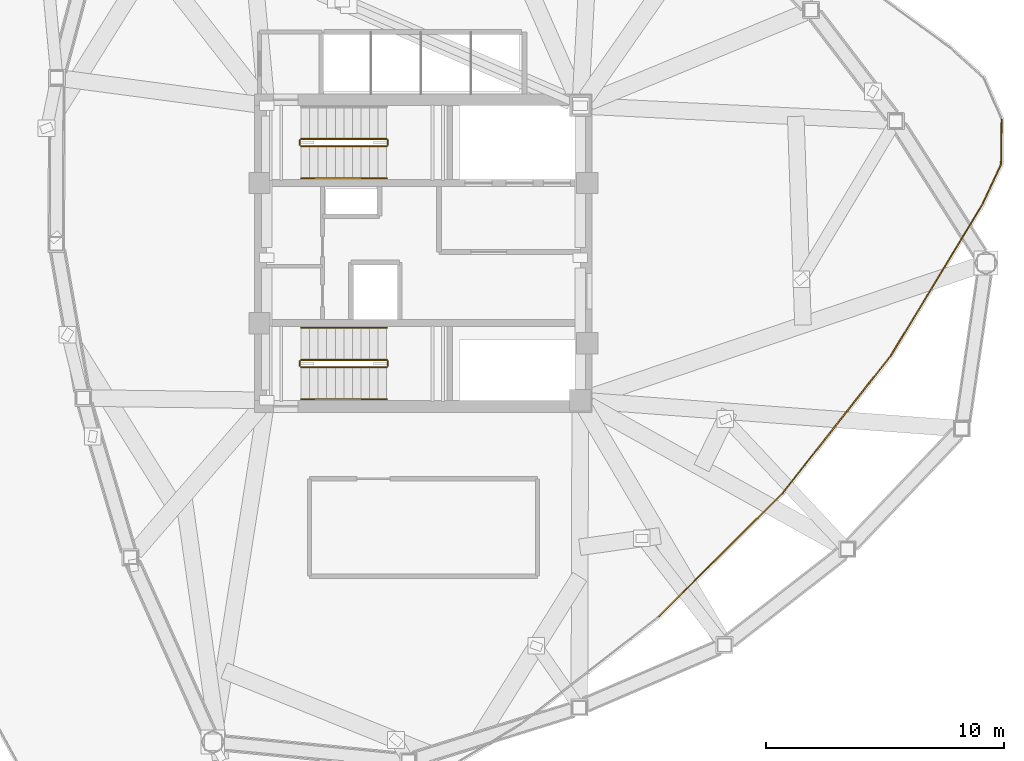
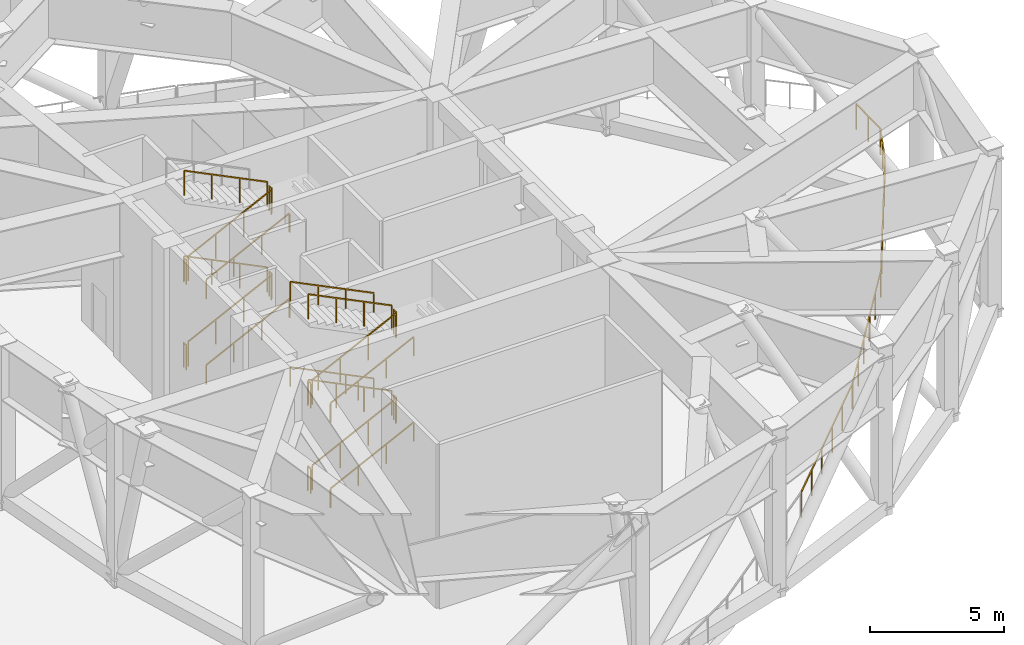
# One storey, part 7 of 8: 27 railings.
"""IFC4 building model written with IfcOpenShell, lengths in metres."""

from ifc_helpers import new_model, si_unit, direction, frame, origin, origin_2d, place, context, subcontext, project, spatial, rectangle, extrude, material, type_object, element, save


model = new_model("IFC4")

# Units and contexts
model_context = context("Model", 3, precision=1e-05, world=origin(), true_north=direction((0.0, 1.0)))
body_context = subcontext(model_context, "Body", "Model", "MODEL_VIEW")
ifc_project = project(units=[si_unit("LENGTHUNIT", "METRE"), si_unit("AREAUNIT", "SQUARE_METRE"), si_unit("VOLUMEUNIT", "CUBIC_METRE"), si_unit("PLANEANGLEUNIT", "RADIAN"), si_unit("MASSUNIT", "GRAM", prefix="KILO")], contexts=[model_context])

# Site, building, storey
site_placement = place(None, origin())
site = spatial("IfcSite", under=ifc_project, at=site_placement, CompositionType="ELEMENT")
building_placement = place(site_placement, origin())
building = spatial("IfcBuilding", under=site, at=building_placement, Name="Tavelor Broadcast Tower", CompositionType="ELEMENT")
storey_placement = place(building_placement, frame((0.0, 0.0, 209.14990234375)))
storey = spatial("IfcBuildingStorey", under=building, at=storey_placement, Name="L50", CompositionType="ELEMENT", Elevation=209.14990234375)

# Railings
ifc_material = material(Name="Steel S355", Category="steel")
railing_type_1 = type_object("IfcRailingType", Name="Continuous Brushed Stainless Handrail 900 mm", PredefinedType="HANDRAIL", material=ifc_material)
for number, where, name in (
    (1, (44.85009765625, 48.14990234375, 0.177490234375), "L50 ST1 stair handrail 1"),
    (2, (44.85009765625, 48.14990234375, 4.077392578125), "L50 ST1 stair handrail 3"),
    (3, (44.85009765625, 38.85009765625, 0.177490234375), "L50 ST2 stair handrail 1"),
):
    element("IfcRailing", number, at=place(storey_placement, frame(where)), inside=storey, type_object=railing_type_1, Name=name, PredefinedType="HANDRAIL", context=body_context, shape_type="SweptSolid", body=[
        extrude(rectangle(XDim=0.048095703125, YDim=0.048095703125, at=origin_2d()), frame((0.0, 0.0, 0.8759765625), z_axis=(0.897124305991, 0.0, 0.441778201817), x_axis=(0.0, 1.0, 0.0)), (0.0, 0.0, 1.0), 4.0126953125),
        extrude(rectangle(XDim=0.0419921875, YDim=0.0419921875, at=origin_2d()), origin(), (0.0, 0.0, 1.0), 0.851806640625),
        extrude(rectangle(XDim=0.0419921875, YDim=0.0419921875, at=origin_2d()), frame((1.199951171875, 0.0, 0.5908203125)), (0.0, 0.0, 1.0), 0.851806640625),
        extrude(rectangle(XDim=0.0419921875, YDim=0.0419921875, at=origin_2d()), frame((2.39990234375, 0.0, 1.181884765625)), (0.0, 0.0, 1.0), 0.851806640625),
        extrude(rectangle(XDim=0.0419921875, YDim=0.0419921875, at=origin_2d()), frame((3.599853515625, 0.0, 1.772705078125)), (0.0, 0.0, 1.0), 0.851806640625),
    ])
railing_1_placement = place(storey_placement, frame((48.449951171875, 41.85009765625, 2.12744140625)))
element("IfcRailing", 4, at=railing_1_placement, inside=storey, type_object=railing_type_1, Name="L50 ST2 stair handrail 2", PredefinedType="HANDRAIL", context=body_context, shape_type="SweptSolid", body=[
    extrude(rectangle(XDim=0.048095703125, YDim=0.048095703125, at=origin_2d()), frame((0.0, 0.0, 0.8759765625), z_axis=(-0.897124305991, 0.0, 0.441778201817), x_axis=(0.0, -1.0, 0.0)), (0.0, 0.0, 1.0), 4.0126953125),
    extrude(rectangle(XDim=0.0419921875, YDim=0.0419921875, at=origin_2d()), origin(), (0.0, 0.0, 1.0), 0.851806640625),
    extrude(rectangle(XDim=0.0419921875, YDim=0.0419921875, at=origin_2d()), frame((-1.199951171875, 0.0, 0.5908203125)), (0.0, 0.0, 1.0), 0.851806640625),
    extrude(rectangle(XDim=0.0419921875, YDim=0.0419921875, at=origin_2d()), frame((-2.39990234375, 0.0, 1.181884765625)), (0.0, 0.0, 1.0), 0.851806640625),
    extrude(rectangle(XDim=0.0419921875, YDim=0.0419921875, at=origin_2d()), frame((-3.599853515625, 0.0, 1.772705078125)), (0.0, 0.0, 1.0), 0.851806640625),
])
railing_2_placement = place(storey_placement, frame((44.85009765625, 38.85009765625, 4.077392578125)))
element("IfcRailing", 5, at=railing_2_placement, inside=storey, type_object=railing_type_1, Name="L50 ST2 stair handrail 3", PredefinedType="HANDRAIL", context=body_context, shape_type="SweptSolid", body=[
    extrude(rectangle(XDim=0.048095703125, YDim=0.048095703125, at=origin_2d()), frame((0.0, 0.0, 0.8759765625), z_axis=(0.897124305991, 0.0, 0.441778201817), x_axis=(0.0, 1.0, 0.0)), (0.0, 0.0, 1.0), 4.0126953125),
    extrude(rectangle(XDim=0.0419921875, YDim=0.0419921875, at=origin_2d()), origin(), (0.0, 0.0, 1.0), 0.851806640625),
    extrude(rectangle(XDim=0.0419921875, YDim=0.0419921875, at=origin_2d()), frame((1.199951171875, 0.0, 0.5908203125)), (0.0, 0.0, 1.0), 0.851806640625),
    extrude(rectangle(XDim=0.0419921875, YDim=0.0419921875, at=origin_2d()), frame((2.39990234375, 0.0, 1.181884765625)), (0.0, 0.0, 1.0), 0.851806640625),
    extrude(rectangle(XDim=0.0419921875, YDim=0.0419921875, at=origin_2d()), frame((3.599853515625, 0.0, 1.772705078125)), (0.0, 0.0, 1.0), 0.851806640625),
])
railing_3_placement = place(storey_placement, frame((48.449951171875, 41.85009765625, 6.02734375)))
element("IfcRailing", 6, at=railing_3_placement, inside=storey, type_object=railing_type_1, Name="L50 ST2 stair handrail 4", PredefinedType="HANDRAIL", context=body_context, shape_type="SweptSolid", body=[
    extrude(rectangle(XDim=0.048095703125, YDim=0.048095703125, at=origin_2d()), frame((0.0, 0.0, 0.8759765625), z_axis=(-0.897124305991, 0.0, 0.441778201817), x_axis=(0.0, -1.0, 0.0)), (0.0, 0.0, 1.0), 4.0126953125),
    extrude(rectangle(XDim=0.0419921875, YDim=0.0419921875, at=origin_2d()), origin(), (0.0, 0.0, 1.0), 0.851806640625),
    extrude(rectangle(XDim=0.0419921875, YDim=0.0419921875, at=origin_2d()), frame((-1.199951171875, 0.0, 0.5908203125)), (0.0, 0.0, 1.0), 0.851806640625),
    extrude(rectangle(XDim=0.0419921875, YDim=0.0419921875, at=origin_2d()), frame((-2.39990234375, 0.0, 1.181884765625)), (0.0, 0.0, 1.0), 0.851806640625),
    extrude(rectangle(XDim=0.0419921875, YDim=0.0419921875, at=origin_2d()), frame((-3.599853515625, 0.0, 1.772705078125)), (0.0, 0.0, 1.0), 0.851806640625),
])
railing_type_2 = type_object("IfcRailingType", Name="Open Wind Floor Perimeter Safety Guardrail 1200 mm", PredefinedType="GUARDRAIL", material=ifc_material)
railing_4_placement = place(storey_placement, frame((74.332275390625, 50.602294921875, 0.0)))
element("IfcRailing", 7, at=railing_4_placement, inside=storey, type_object=railing_type_2, Name="L50 Open Wind Floor Perimeter Guardrail 09", PredefinedType="GUARDRAIL", context=body_context, shape_type="SweptSolid", body=[
    extrude(rectangle(XDim=0.048095703125, YDim=0.048095703125, at=origin_2d()), frame((0.0, 0.0, 1.17578125), z_axis=(-0.013020421553, -0.999915230718, 0.0), x_axis=(0.999915230718, -0.013020421553, 0.0)), (0.0, 0.0, 1.0), 1.837646484375),
    extrude(rectangle(XDim=0.0419921875, YDim=0.0419921875, at=origin_2d()), origin(), (0.0, 0.0, 1.0), 1.15185546875),
    extrude(rectangle(XDim=0.0419921875, YDim=0.0419921875, at=origin_2d()), frame((-0.011962890625, -0.918701171875, 0.0)), (0.0, 0.0, 1.0), 1.15185546875),
    extrude(rectangle(XDim=0.0419921875, YDim=0.0419921875, at=origin_2d()), frame((-0.02392578125, -1.83740234375, 0.0)), (0.0, 0.0, 1.0), 1.15185546875),
])
railing_5_placement = place(storey_placement, frame((74.295166015625, 48.7080078125, 0.0)))
element("IfcRailing", 8, at=railing_5_placement, inside=storey, type_object=railing_type_2, Name="L50 Open Wind Floor Perimeter Guardrail 10", PredefinedType="GUARDRAIL", context=body_context, shape_type="SweptSolid", body=[
    extrude(rectangle(XDim=0.048095703125, YDim=0.048095703125, at=origin_2d()), frame((0.0, 0.0, 1.17578125), z_axis=(-0.423346909945, -0.905967656067, 0.0), x_axis=(0.905967656067, -0.423346909945, 0.0)), (0.0, 0.0, 1.0), 1.853515625),
    extrude(rectangle(XDim=0.0419921875, YDim=0.0419921875, at=origin_2d()), origin(), (0.0, 0.0, 1.0), 1.15185546875),
    extrude(rectangle(XDim=0.0419921875, YDim=0.0419921875, at=origin_2d()), frame((-0.392333984375, -0.839599609375, 0.0)), (0.0, 0.0, 1.0), 1.15185546875),
    extrude(rectangle(XDim=0.0419921875, YDim=0.0419921875, at=origin_2d()), frame((-0.78466796875, -1.67919921875, 0.0)), (0.0, 0.0, 1.0), 1.15185546875),
])
railing_6_placement = place(storey_placement, frame((73.482177734375, 46.975830078125, 0.0)))
element("IfcRailing", 9, at=railing_6_placement, inside=storey, type_object=railing_type_2, Name="L50 Open Wind Floor Perimeter Guardrail 11", PredefinedType="GUARDRAIL", context=body_context, shape_type="SweptSolid", body=[
    extrude(rectangle(XDim=0.048095703125, YDim=0.048095703125, at=origin_2d()), frame((0.0, 0.0, 1.17578125), z_axis=(-0.518392701096, -0.85514268251, 0.0), x_axis=(0.85514268251, -0.518392701096, 0.0)), (0.0, 0.0, 1.0), 7.314453125),
    extrude(rectangle(XDim=0.0419921875, YDim=0.0419921875, at=origin_2d()), origin(), (0.0, 0.0, 1.0), 1.15185546875),
    extrude(rectangle(XDim=0.0419921875, YDim=0.0419921875, at=origin_2d()), frame((-0.75830078125, -1.2509765625, 0.0)), (0.0, 0.0, 1.0), 1.15185546875),
    extrude(rectangle(XDim=0.0419921875, YDim=0.0419921875, at=origin_2d()), frame((-1.5166015625, -2.501953125, 0.0)), (0.0, 0.0, 1.0), 1.15185546875),
    extrude(rectangle(XDim=0.0419921875, YDim=0.0419921875, at=origin_2d()), frame((-2.275146484375, -3.7529296875, 0.0)), (0.0, 0.0, 1.0), 1.15185546875),
    extrude(rectangle(XDim=0.0419921875, YDim=0.0419921875, at=origin_2d()), frame((-3.033447265625, -5.00390625, 0.0)), (0.0, 0.0, 1.0), 1.15185546875),
    extrude(rectangle(XDim=0.0419921875, YDim=0.0419921875, at=origin_2d()), frame((-3.791748046875, -6.2548828125, 0.0)), (0.0, 0.0, 1.0), 1.15185546875),
])
railing_7_placement = place(storey_placement, frame((69.656494140625, 40.671630859375, 0.0)))
element("IfcRailing", 10, at=railing_7_placement, inside=storey, type_object=railing_type_2, Name="L50 Open Wind Floor Perimeter Guardrail 12", PredefinedType="GUARDRAIL", context=body_context, shape_type="SweptSolid", body=[
    extrude(rectangle(XDim=0.048095703125, YDim=0.048095703125, at=origin_2d()), frame((0.0, 0.0, 1.17578125), z_axis=(-0.618057405619, -0.786132967989, 0.0), x_axis=(0.786132967989, -0.618057405619, 0.0)), (0.0, 0.0, 1.0), 7.313720703125),
    extrude(rectangle(XDim=0.0419921875, YDim=0.0419921875, at=origin_2d()), origin(), (0.0, 0.0, 1.0), 1.15185546875),
    extrude(rectangle(XDim=0.0419921875, YDim=0.0419921875, at=origin_2d()), frame((-0.904052734375, -1.14990234375, 0.0)), (0.0, 0.0, 1.0), 1.15185546875),
    extrude(rectangle(XDim=0.0419921875, YDim=0.0419921875, at=origin_2d()), frame((-1.80810546875, -2.2998046875, 0.0)), (0.0, 0.0, 1.0), 1.15185546875),
    extrude(rectangle(XDim=0.0419921875, YDim=0.0419921875, at=origin_2d()), frame((-2.712158203125, -3.44970703125, 0.0)), (0.0, 0.0, 1.0), 1.15185546875),
    extrude(rectangle(XDim=0.0419921875, YDim=0.0419921875, at=origin_2d()), frame((-3.6162109375, -4.599609375, 0.0)), (0.0, 0.0, 1.0), 1.15185546875),
    extrude(rectangle(XDim=0.0419921875, YDim=0.0419921875, at=origin_2d()), frame((-4.520263671875, -5.74951171875, 0.0)), (0.0, 0.0, 1.0), 1.15185546875),
])
railing_8_placement = place(storey_placement, frame((65.096435546875, 34.87744140625, 0.0)))
element("IfcRailing", 11, at=railing_8_placement, inside=storey, type_object=railing_type_2, Name="L50 Open Wind Floor Perimeter Guardrail 13", PredefinedType="GUARDRAIL", context=body_context, shape_type="SweptSolid", body=[
    extrude(rectangle(XDim=0.048095703125, YDim=0.048095703125, at=origin_2d()), frame((0.0, 0.0, 1.17578125), z_axis=(-0.708640629953, -0.70556959797, 0.0), x_axis=(0.70556959797, -0.708640629953, 0.0)), (0.0, 0.0, 1.0), 7.313720703125),
    extrude(rectangle(XDim=0.0419921875, YDim=0.0419921875, at=origin_2d()), origin(), (0.0, 0.0, 1.0), 1.15185546875),
    extrude(rectangle(XDim=0.0419921875, YDim=0.0419921875, at=origin_2d()), frame((-1.03662109375, -1.031982421875, 0.0)), (0.0, 0.0, 1.0), 1.15185546875),
    extrude(rectangle(XDim=0.0419921875, YDim=0.0419921875, at=origin_2d()), frame((-2.0732421875, -2.064208984375, 0.0)), (0.0, 0.0, 1.0), 1.15185546875),
    extrude(rectangle(XDim=0.0419921875, YDim=0.0419921875, at=origin_2d()), frame((-3.109619140625, -3.09619140625, 0.0)), (0.0, 0.0, 1.0), 1.15185546875),
    extrude(rectangle(XDim=0.0419921875, YDim=0.0419921875, at=origin_2d()), frame((-4.146240234375, -4.12841796875, 0.0)), (0.0, 0.0, 1.0), 1.15185546875),
    extrude(rectangle(XDim=0.0419921875, YDim=0.0419921875, at=origin_2d()), frame((-5.182861328125, -5.160400390625, 0.0)), (0.0, 0.0, 1.0), 1.15185546875),
])
railing_type_3 = type_object("IfcRailingType", Name="Stairwell Steel Safety Guardrail 1150 mm", PredefinedType="GUARDRAIL", material=ifc_material)
railing_9_placement = place(storey_placement, frame((44.85009765625, 49.5, 0.177490234375)))
element("IfcRailing", 12, at=railing_9_placement, inside=storey, type_object=railing_type_3, Name="L50 ST1 stair guard 1", PredefinedType="GUARDRAIL", context=body_context, shape_type="SweptSolid", body=[
    extrude(rectangle(XDim=0.048095703125, YDim=0.048095703125, at=origin_2d()), frame((0.0, 0.0, 1.1259765625), z_axis=(0.897124305991, 0.0, 0.441778201817), x_axis=(0.0, 1.0, 0.0)), (0.0, 0.0, 1.0), 4.0126953125),
    extrude(rectangle(XDim=0.0419921875, YDim=0.0419921875, at=origin_2d()), origin(), (0.0, 0.0, 1.0), 1.101806640625),
    extrude(rectangle(XDim=0.0419921875, YDim=0.0419921875, at=origin_2d()), frame((1.199951171875, 0.0, 0.5908203125)), (0.0, 0.0, 1.0), 1.101806640625),
    extrude(rectangle(XDim=0.0419921875, YDim=0.0419921875, at=origin_2d()), frame((2.39990234375, 0.0, 1.181884765625)), (0.0, 0.0, 1.0), 1.101806640625),
    extrude(rectangle(XDim=0.0419921875, YDim=0.0419921875, at=origin_2d()), frame((3.599853515625, 0.0, 1.772705078125)), (0.0, 0.0, 1.0), 1.101806640625),
])
railing_10_placement = place(storey_placement, frame((48.5, 49.550048828125, 1.9501953125)))
element("IfcRailing", 13, at=railing_10_placement, inside=storey, type_object=railing_type_3, Name="L50 ST1 stair guard 2", PredefinedType="GUARDRAIL", context=body_context, shape_type="SweptSolid", body=[
    extrude(rectangle(XDim=0.048095703125, YDim=0.048095703125, at=origin_2d()), frame((0.0, 0.0, 1.1259765625), z_axis=(0.0, 1.0, 0.0), x_axis=(-1.0, 0.0, 0.0)), (0.0, 0.0, 1.0), 0.199951171875),
    extrude(rectangle(XDim=0.0419921875, YDim=0.0419921875, at=origin_2d()), origin(), (0.0, 0.0, 1.0), 1.101806640625),
    extrude(rectangle(XDim=0.0419921875, YDim=0.0419921875, at=origin_2d()), frame((0.0, 0.199951171875, 0.0)), (0.0, 0.0, 1.0), 1.101806640625),
])
railing_11_placement = place(storey_placement, frame((48.449951171875, 49.800048828125, 2.12744140625)))
element("IfcRailing", 14, at=railing_11_placement, inside=storey, type_object=railing_type_3, Name="L50 ST1 stair guard 3", PredefinedType="GUARDRAIL", context=body_context, shape_type="SweptSolid", body=[
    extrude(rectangle(XDim=0.048095703125, YDim=0.048095703125, at=origin_2d()), frame((0.0, 0.0, 1.1259765625), z_axis=(-0.897124305991, 0.0, 0.441778201817), x_axis=(0.0, -1.0, 0.0)), (0.0, 0.0, 1.0), 4.0126953125),
    extrude(rectangle(XDim=0.0419921875, YDim=0.0419921875, at=origin_2d()), origin(), (0.0, 0.0, 1.0), 1.101806640625),
    extrude(rectangle(XDim=0.0419921875, YDim=0.0419921875, at=origin_2d()), frame((-1.199951171875, 0.0, 0.5908203125)), (0.0, 0.0, 1.0), 1.101806640625),
    extrude(rectangle(XDim=0.0419921875, YDim=0.0419921875, at=origin_2d()), frame((-2.39990234375, 0.0, 1.181884765625)), (0.0, 0.0, 1.0), 1.101806640625),
    extrude(rectangle(XDim=0.0419921875, YDim=0.0419921875, at=origin_2d()), frame((-3.599853515625, 0.0, 1.772705078125)), (0.0, 0.0, 1.0), 1.101806640625),
])
railing_12_placement = place(storey_placement, frame((44.800048828125, 49.550048828125, 3.900146484375)))
element("IfcRailing", 15, at=railing_12_placement, inside=storey, type_object=railing_type_3, Name="L50 ST1 stair guard 4", PredefinedType="GUARDRAIL", context=body_context, shape_type="SweptSolid", body=[
    extrude(rectangle(XDim=0.048095703125, YDim=0.048095703125, at=origin_2d()), frame((0.0, 0.0, 1.1259765625), z_axis=(0.0, 1.0, 0.0), x_axis=(-1.0, 0.0, 0.0)), (0.0, 0.0, 1.0), 0.199951171875),
    extrude(rectangle(XDim=0.0419921875, YDim=0.0419921875, at=origin_2d()), origin(), (0.0, 0.0, 1.0), 1.101806640625),
    extrude(rectangle(XDim=0.0419921875, YDim=0.0419921875, at=origin_2d()), frame((0.0, 0.199951171875, 0.0)), (0.0, 0.0, 1.0), 1.101806640625),
])
railing_13_placement = place(storey_placement, frame((44.85009765625, 49.5, 4.077392578125)))
element("IfcRailing", 16, at=railing_13_placement, inside=storey, type_object=railing_type_3, Name="L50 ST1 stair guard 5", PredefinedType="GUARDRAIL", context=body_context, shape_type="SweptSolid", body=[
    extrude(rectangle(XDim=0.048095703125, YDim=0.048095703125, at=origin_2d()), frame((0.0, 0.0, 1.1259765625), z_axis=(0.897124305991, 0.0, 0.441778201817), x_axis=(0.0, 1.0, 0.0)), (0.0, 0.0, 1.0), 4.0126953125),
    extrude(rectangle(XDim=0.0419921875, YDim=0.0419921875, at=origin_2d()), origin(), (0.0, 0.0, 1.0), 1.101806640625),
    extrude(rectangle(XDim=0.0419921875, YDim=0.0419921875, at=origin_2d()), frame((1.199951171875, 0.0, 0.5908203125)), (0.0, 0.0, 1.0), 1.101806640625),
    extrude(rectangle(XDim=0.0419921875, YDim=0.0419921875, at=origin_2d()), frame((2.39990234375, 0.0, 1.181884765625)), (0.0, 0.0, 1.0), 1.101806640625),
    extrude(rectangle(XDim=0.0419921875, YDim=0.0419921875, at=origin_2d()), frame((3.599853515625, 0.0, 1.772705078125)), (0.0, 0.0, 1.0), 1.101806640625),
])
railing_14_placement = place(storey_placement, frame((48.5, 49.550048828125, 5.85009765625)))
element("IfcRailing", 17, at=railing_14_placement, inside=storey, type_object=railing_type_3, Name="L50 ST1 stair guard 6", PredefinedType="GUARDRAIL", context=body_context, shape_type="SweptSolid", body=[
    extrude(rectangle(XDim=0.048095703125, YDim=0.048095703125, at=origin_2d()), frame((0.0, 0.0, 1.1259765625), z_axis=(0.0, 1.0, 0.0), x_axis=(-1.0, 0.0, 0.0)), (0.0, 0.0, 1.0), 0.199951171875),
    extrude(rectangle(XDim=0.0419921875, YDim=0.0419921875, at=origin_2d()), origin(), (0.0, 0.0, 1.0), 1.101806640625),
    extrude(rectangle(XDim=0.0419921875, YDim=0.0419921875, at=origin_2d()), frame((0.0, 0.199951171875, 0.0)), (0.0, 0.0, 1.0), 1.101806640625),
])
railing_15_placement = place(storey_placement, frame((48.449951171875, 49.800048828125, 6.02734375)))
element("IfcRailing", 18, at=railing_15_placement, inside=storey, type_object=railing_type_3, Name="L50 ST1 stair guard 7", PredefinedType="GUARDRAIL", context=body_context, shape_type="SweptSolid", body=[
    extrude(rectangle(XDim=0.048095703125, YDim=0.048095703125, at=origin_2d()), frame((0.0, 0.0, 1.1259765625), z_axis=(-0.897124305991, 0.0, 0.441778201817), x_axis=(0.0, -1.0, 0.0)), (0.0, 0.0, 1.0), 4.0126953125),
    extrude(rectangle(XDim=0.0419921875, YDim=0.0419921875, at=origin_2d()), origin(), (0.0, 0.0, 1.0), 1.101806640625),
    extrude(rectangle(XDim=0.0419921875, YDim=0.0419921875, at=origin_2d()), frame((-1.199951171875, 0.0, 0.5908203125)), (0.0, 0.0, 1.0), 1.101806640625),
    extrude(rectangle(XDim=0.0419921875, YDim=0.0419921875, at=origin_2d()), frame((-2.39990234375, 0.0, 1.181884765625)), (0.0, 0.0, 1.0), 1.101806640625),
    extrude(rectangle(XDim=0.0419921875, YDim=0.0419921875, at=origin_2d()), frame((-3.599853515625, 0.0, 1.772705078125)), (0.0, 0.0, 1.0), 1.101806640625),
])
railing_16_placement = place(storey_placement, frame((44.800048828125, 49.550048828125, 0.0)))
element("IfcRailing", 19, at=railing_16_placement, inside=storey, type_object=railing_type_3, Name="L50 ST1 stair guard 8", PredefinedType="GUARDRAIL", context=body_context, shape_type="SweptSolid", body=[
    extrude(rectangle(XDim=0.048095703125, YDim=0.048095703125, at=origin_2d()), frame((0.0, 0.0, 1.1259765625), z_axis=(0.0, 1.0, 0.0), x_axis=(-1.0, 0.0, 0.0)), (0.0, 0.0, 1.0), 0.199951171875),
    extrude(rectangle(XDim=0.0419921875, YDim=0.0419921875, at=origin_2d()), origin(), (0.0, 0.0, 1.0), 1.101806640625),
    extrude(rectangle(XDim=0.0419921875, YDim=0.0419921875, at=origin_2d()), frame((0.0, 0.199951171875, 0.0)), (0.0, 0.0, 1.0), 1.101806640625),
])
railing_17_placement = place(storey_placement, frame((44.85009765625, 40.199951171875, 0.177490234375)))
element("IfcRailing", 20, at=railing_17_placement, inside=storey, type_object=railing_type_3, Name="L50 ST2 stair guard 1", PredefinedType="GUARDRAIL", context=body_context, shape_type="SweptSolid", body=[
    extrude(rectangle(XDim=0.048095703125, YDim=0.048095703125, at=origin_2d()), frame((0.0, 0.0, 1.1259765625), z_axis=(0.897124305991, 0.0, 0.441778201817), x_axis=(0.0, 1.0, 0.0)), (0.0, 0.0, 1.0), 4.0126953125),
    extrude(rectangle(XDim=0.0419921875, YDim=0.0419921875, at=origin_2d()), origin(), (0.0, 0.0, 1.0), 1.101806640625),
    extrude(rectangle(XDim=0.0419921875, YDim=0.0419921875, at=origin_2d()), frame((1.199951171875, 0.0, 0.5908203125)), (0.0, 0.0, 1.0), 1.101806640625),
    extrude(rectangle(XDim=0.0419921875, YDim=0.0419921875, at=origin_2d()), frame((2.39990234375, 0.0, 1.181884765625)), (0.0, 0.0, 1.0), 1.101806640625),
    extrude(rectangle(XDim=0.0419921875, YDim=0.0419921875, at=origin_2d()), frame((3.599853515625, 0.0, 1.772705078125)), (0.0, 0.0, 1.0), 1.101806640625),
])
railing_18_placement = place(storey_placement, frame((48.5, 40.25, 1.9501953125)))
element("IfcRailing", 21, at=railing_18_placement, inside=storey, type_object=railing_type_3, Name="L50 ST2 stair guard 2", PredefinedType="GUARDRAIL", context=body_context, shape_type="SweptSolid", body=[
    extrude(rectangle(XDim=0.048095703125, YDim=0.048095703125, at=origin_2d()), frame((0.0, 0.0, 1.1259765625), z_axis=(0.0, 1.0, 0.0), x_axis=(-1.0, 0.0, 0.0)), (0.0, 0.0, 1.0), 0.199951171875),
    extrude(rectangle(XDim=0.0419921875, YDim=0.0419921875, at=origin_2d()), origin(), (0.0, 0.0, 1.0), 1.101806640625),
    extrude(rectangle(XDim=0.0419921875, YDim=0.0419921875, at=origin_2d()), frame((0.0, 0.199951171875, 0.0)), (0.0, 0.0, 1.0), 1.101806640625),
])
railing_19_placement = place(storey_placement, frame((48.449951171875, 40.5, 2.12744140625)))
element("IfcRailing", 22, at=railing_19_placement, inside=storey, type_object=railing_type_3, Name="L50 ST2 stair guard 3", PredefinedType="GUARDRAIL", context=body_context, shape_type="SweptSolid", body=[
    extrude(rectangle(XDim=0.048095703125, YDim=0.048095703125, at=origin_2d()), frame((0.0, 0.0, 1.1259765625), z_axis=(-0.897124305991, 0.0, 0.441778201817), x_axis=(0.0, -1.0, 0.0)), (0.0, 0.0, 1.0), 4.0126953125),
    extrude(rectangle(XDim=0.0419921875, YDim=0.0419921875, at=origin_2d()), origin(), (0.0, 0.0, 1.0), 1.101806640625),
    extrude(rectangle(XDim=0.0419921875, YDim=0.0419921875, at=origin_2d()), frame((-1.199951171875, 0.0, 0.5908203125)), (0.0, 0.0, 1.0), 1.101806640625),
    extrude(rectangle(XDim=0.0419921875, YDim=0.0419921875, at=origin_2d()), frame((-2.39990234375, 0.0, 1.181884765625)), (0.0, 0.0, 1.0), 1.101806640625),
    extrude(rectangle(XDim=0.0419921875, YDim=0.0419921875, at=origin_2d()), frame((-3.599853515625, 0.0, 1.772705078125)), (0.0, 0.0, 1.0), 1.101806640625),
])
railing_20_placement = place(storey_placement, frame((44.800048828125, 40.25, 3.900146484375)))
element("IfcRailing", 23, at=railing_20_placement, inside=storey, type_object=railing_type_3, Name="L50 ST2 stair guard 4", PredefinedType="GUARDRAIL", context=body_context, shape_type="SweptSolid", body=[
    extrude(rectangle(XDim=0.048095703125, YDim=0.048095703125, at=origin_2d()), frame((0.0, 0.0, 1.1259765625), z_axis=(0.0, 1.0, 0.0), x_axis=(-1.0, 0.0, 0.0)), (0.0, 0.0, 1.0), 0.199951171875),
    extrude(rectangle(XDim=0.0419921875, YDim=0.0419921875, at=origin_2d()), origin(), (0.0, 0.0, 1.0), 1.101806640625),
    extrude(rectangle(XDim=0.0419921875, YDim=0.0419921875, at=origin_2d()), frame((0.0, 0.199951171875, 0.0)), (0.0, 0.0, 1.0), 1.101806640625),
])
railing_21_placement = place(storey_placement, frame((44.85009765625, 40.199951171875, 4.077392578125)))
element("IfcRailing", 24, at=railing_21_placement, inside=storey, type_object=railing_type_3, Name="L50 ST2 stair guard 5", PredefinedType="GUARDRAIL", context=body_context, shape_type="SweptSolid", body=[
    extrude(rectangle(XDim=0.048095703125, YDim=0.048095703125, at=origin_2d()), frame((0.0, 0.0, 1.1259765625), z_axis=(0.897124305991, 0.0, 0.441778201817), x_axis=(0.0, 1.0, 0.0)), (0.0, 0.0, 1.0), 4.0126953125),
    extrude(rectangle(XDim=0.0419921875, YDim=0.0419921875, at=origin_2d()), origin(), (0.0, 0.0, 1.0), 1.101806640625),
    extrude(rectangle(XDim=0.0419921875, YDim=0.0419921875, at=origin_2d()), frame((1.199951171875, 0.0, 0.5908203125)), (0.0, 0.0, 1.0), 1.101806640625),
    extrude(rectangle(XDim=0.0419921875, YDim=0.0419921875, at=origin_2d()), frame((2.39990234375, 0.0, 1.181884765625)), (0.0, 0.0, 1.0), 1.101806640625),
    extrude(rectangle(XDim=0.0419921875, YDim=0.0419921875, at=origin_2d()), frame((3.599853515625, 0.0, 1.772705078125)), (0.0, 0.0, 1.0), 1.101806640625),
])
railing_22_placement = place(storey_placement, frame((48.5, 40.25, 5.85009765625)))
element("IfcRailing", 25, at=railing_22_placement, inside=storey, type_object=railing_type_3, Name="L50 ST2 stair guard 6", PredefinedType="GUARDRAIL", context=body_context, shape_type="SweptSolid", body=[
    extrude(rectangle(XDim=0.048095703125, YDim=0.048095703125, at=origin_2d()), frame((0.0, 0.0, 1.1259765625), z_axis=(0.0, 1.0, 0.0), x_axis=(-1.0, 0.0, 0.0)), (0.0, 0.0, 1.0), 0.199951171875),
    extrude(rectangle(XDim=0.0419921875, YDim=0.0419921875, at=origin_2d()), origin(), (0.0, 0.0, 1.0), 1.101806640625),
    extrude(rectangle(XDim=0.0419921875, YDim=0.0419921875, at=origin_2d()), frame((0.0, 0.199951171875, 0.0)), (0.0, 0.0, 1.0), 1.101806640625),
])
railing_23_placement = place(storey_placement, frame((48.449951171875, 40.5, 6.02734375)))
element("IfcRailing", 26, at=railing_23_placement, inside=storey, type_object=railing_type_3, Name="L50 ST2 stair guard 7", PredefinedType="GUARDRAIL", context=body_context, shape_type="SweptSolid", body=[
    extrude(rectangle(XDim=0.048095703125, YDim=0.048095703125, at=origin_2d()), frame((0.0, 0.0, 1.1259765625), z_axis=(-0.897124305991, 0.0, 0.441778201817), x_axis=(0.0, -1.0, 0.0)), (0.0, 0.0, 1.0), 4.0126953125),
    extrude(rectangle(XDim=0.0419921875, YDim=0.0419921875, at=origin_2d()), origin(), (0.0, 0.0, 1.0), 1.101806640625),
    extrude(rectangle(XDim=0.0419921875, YDim=0.0419921875, at=origin_2d()), frame((-1.199951171875, 0.0, 0.5908203125)), (0.0, 0.0, 1.0), 1.101806640625),
    extrude(rectangle(XDim=0.0419921875, YDim=0.0419921875, at=origin_2d()), frame((-2.39990234375, 0.0, 1.181884765625)), (0.0, 0.0, 1.0), 1.101806640625),
    extrude(rectangle(XDim=0.0419921875, YDim=0.0419921875, at=origin_2d()), frame((-3.599853515625, 0.0, 1.772705078125)), (0.0, 0.0, 1.0), 1.101806640625),
])
railing_24_placement = place(storey_placement, frame((44.800048828125, 40.25, 0.0)))
element("IfcRailing", 27, at=railing_24_placement, inside=storey, type_object=railing_type_3, Name="L50 ST2 stair guard 8", PredefinedType="GUARDRAIL", context=body_context, shape_type="SweptSolid", body=[
    extrude(rectangle(XDim=0.048095703125, YDim=0.048095703125, at=origin_2d()), frame((0.0, 0.0, 1.1259765625), z_axis=(0.0, 1.0, 0.0), x_axis=(-1.0, 0.0, 0.0)), (0.0, 0.0, 1.0), 0.199951171875),
    extrude(rectangle(XDim=0.0419921875, YDim=0.0419921875, at=origin_2d()), origin(), (0.0, 0.0, 1.0), 1.101806640625),
    extrude(rectangle(XDim=0.0419921875, YDim=0.0419921875, at=origin_2d()), frame((0.0, 0.199951171875, 0.0)), (0.0, 0.0, 1.0), 1.101806640625),
])

save(model, "model.ifc")
